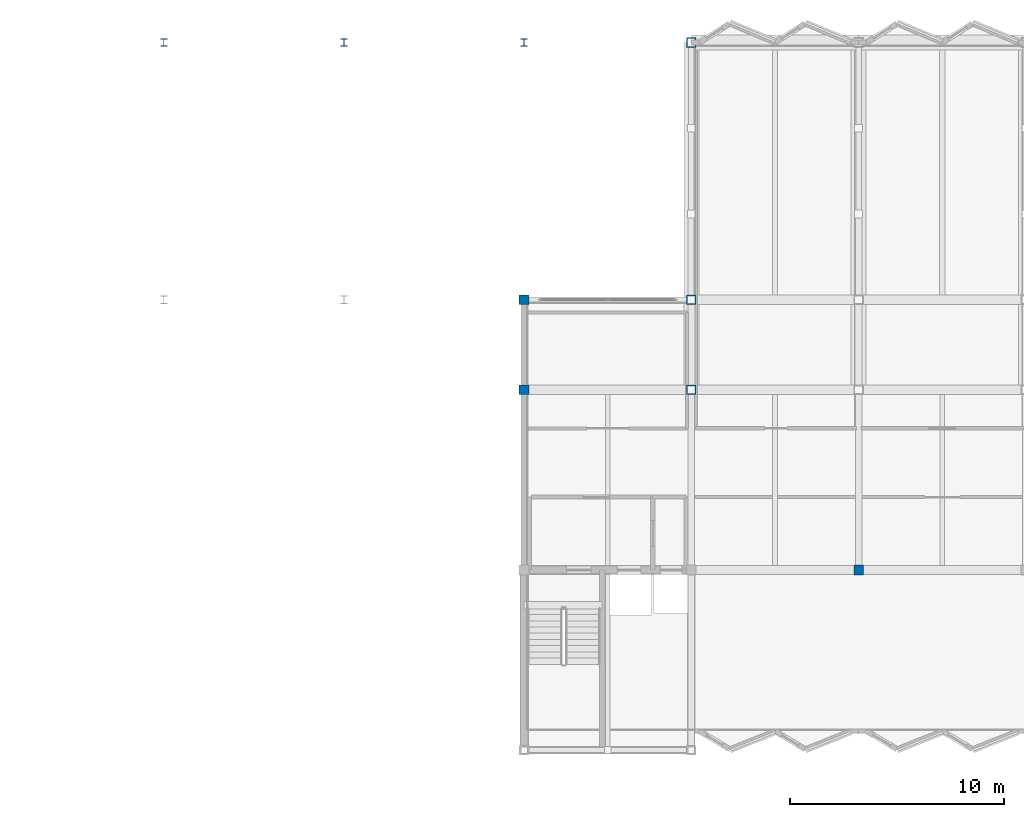
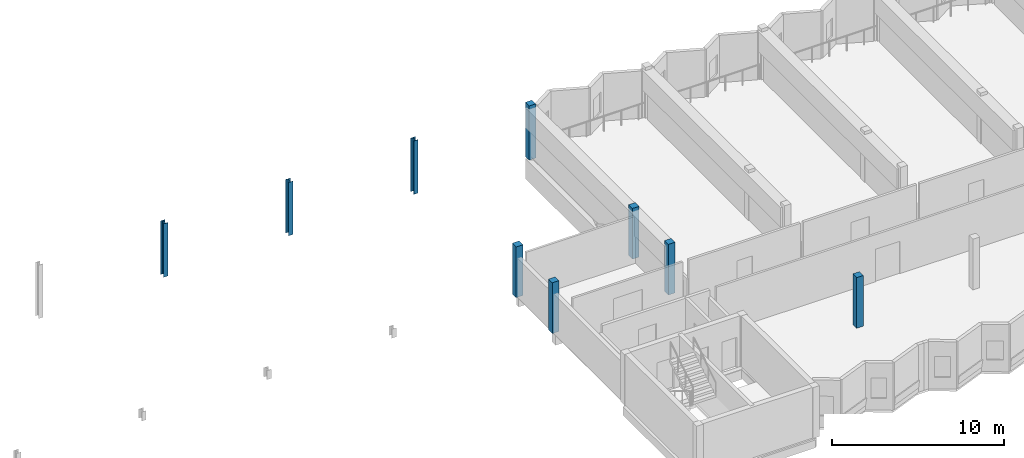
# One storey, part 4 of 34: 9 columns.
"""IFC4 building model written with IfcOpenShell, lengths in metres."""

from ifc_helpers import new_model, si_unit, direction, frame, origin, origin_2d, place, context, subcontext, project, spatial, rectangle, i_section, extrude, material, material_profile, profile_set, type_object, element, save


model = new_model("IFC4")

# Units and contexts
model_context = context("Model", 3, precision=1e-05, world=origin(), true_north=direction((0.0, 1.0)))
body_context = subcontext(model_context, "Body", "Model", "MODEL_VIEW")
ifc_project = project(units=[si_unit("LENGTHUNIT", "METRE"), si_unit("AREAUNIT", "SQUARE_METRE"), si_unit("VOLUMEUNIT", "CUBIC_METRE"), si_unit("PLANEANGLEUNIT", "RADIAN"), si_unit("MASSUNIT", "GRAM", prefix="KILO")], contexts=[model_context])

# Site, building, storey
site_placement = place(None, origin())
site = spatial("IfcSite", under=ifc_project, at=site_placement, CompositionType="ELEMENT")
building_placement = place(site_placement, origin())
building = spatial("IfcBuilding", under=site, at=building_placement, Name="Vharandega Faculty of Natural Sciences", CompositionType="ELEMENT")
storey_placement = place(building_placement, frame((0.0, 0.0, 21.60009765625)))
storey = spatial("IfcBuildingStorey", under=building, at=storey_placement, Name="L05", CompositionType="ELEMENT", Elevation=21.60009765625)

# Columns
ifc_material_1 = material(Name="Glulam GL32h", Category="wood")
ifc_material_profile_1 = material_profile(ifc_material_1, rectangle(XDim=0.449951171875, YDim=0.449951171875, at=origin_2d()), Name="GL32h 450x450")
ifc_profile_set_1 = profile_set([ifc_material_profile_1], Name="Glulam GL32h")
column_type_1 = type_object("IfcColumnType", Name="Glulam Column 450x450", PredefinedType="COLUMN", material=ifc_profile_set_1)
for number, where, z_axis, x_axis, name in (
    (1, (114.800048828125, 80.800048828125, 0.0), (0.0, 0.0, 1.0), (1.0, 0.0, 0.0), "Column 15/L L05"),
    (2, (114.800048828125, 85.0, 0.0), (0.0, 0.0, 1.0), (1.0, 0.0, 0.0), "Column 15/M L05"),
    (3, (122.60009765625, 80.800048828125, 0.0), (0.0, 0.0, 1.0), (1.0, 0.0, 0.0), "Column 16/L L05"),
    (4, (122.60009765625, 85.0, 0.0), (0.0, 0.0, 1.0), (1.0, 0.0, 0.0), "Column 16/M L05"),
):
    element("IfcColumn", number, at=place(storey_placement, frame(where, z_axis=z_axis, x_axis=x_axis)), inside=storey, type_object=column_type_1, Name=name, PredefinedType="COLUMN", context=body_context, shape_type="SweptSolid", body=[
        extrude(rectangle(XDim=0.449951171875, YDim=0.449951171875, at=origin_2d()), origin(), (0.0, 0.0, 1.0), 3.599853515625),
    ])
column_1_placement = place(storey_placement, frame((122.60009765625, 97.0, -0.239990234375), z_axis=(0.0, 0.0, 1.0), x_axis=(1.0, 0.0, 0.0)))
element("IfcColumn", 5, at=column_1_placement, inside=storey, type_object=column_type_1, Name="Column 16/N L05", PredefinedType="COLUMN", context=body_context, shape_type="SweptSolid", body=[
    extrude(rectangle(XDim=0.449951171875, YDim=0.449951171875, at=origin_2d()), origin(), (0.0, 0.0, 1.0), 3.83984375),
])
column_2_placement = place(storey_placement, frame((130.39990234375, 72.39990234375, 0.0), z_axis=(0.0, 0.0, 1.0), x_axis=(1.0, 0.0, 0.0)))
element("IfcColumn", 6, at=column_2_placement, inside=storey, type_object=column_type_1, Name="Column 17/K L05", PredefinedType="COLUMN", context=body_context, shape_type="SweptSolid", body=[
    extrude(rectangle(XDim=0.449951171875, YDim=0.449951171875, at=origin_2d()), origin(), (0.0, 0.0, 1.0), 3.599853515625),
])
ifc_material_2 = material(Name="Steel S355", Category="steel")
ifc_material_profile_2 = material_profile(ifc_material_2, i_section(OverallWidth=0.300048828125, OverallDepth=0.360107421875, WebThickness=0.012451171875, FlangeThickness=0.0224609375, FilletRadius=0.027099609375, at=origin_2d()), Name="HEB 360")
ifc_profile_set_2 = profile_set([ifc_material_profile_2], Name="Steel S355")
column_type_2 = type_object("IfcColumnType", Name="Steel Column HEB 360", PredefinedType="COLUMN", material=ifc_profile_set_2)
for number, where, z_axis, x_axis, name in (
    (7, (98.0, 97.0, 0.0), (0.0, 0.0, 1.0), (1.0, 0.0, 0.0), "Column 13/N L05"),
    (8, (106.39990234375, 97.0, 0.0), (0.0, 0.0, 1.0), (1.0, 0.0, 0.0), "Column 14/N L05"),
    (9, (114.800048828125, 97.0, 0.0), (0.0, 0.0, 1.0), (1.0, 0.0, 0.0), "Column 15/N L05"),
):
    element("IfcColumn", number, at=place(storey_placement, frame(where, z_axis=z_axis, x_axis=x_axis)), inside=storey, type_object=column_type_2, Name=name, PredefinedType="COLUMN", context=body_context, shape_type="SweptSolid", body=[
        extrude(i_section(OverallWidth=0.300048828125, OverallDepth=0.360107421875, WebThickness=0.012451171875, FlangeThickness=0.0224609375, FilletRadius=0.027099609375, at=origin_2d()), origin(), (0.0, 0.0, 1.0), 3.789794921875),
    ])

save(model, "model.ifc")
